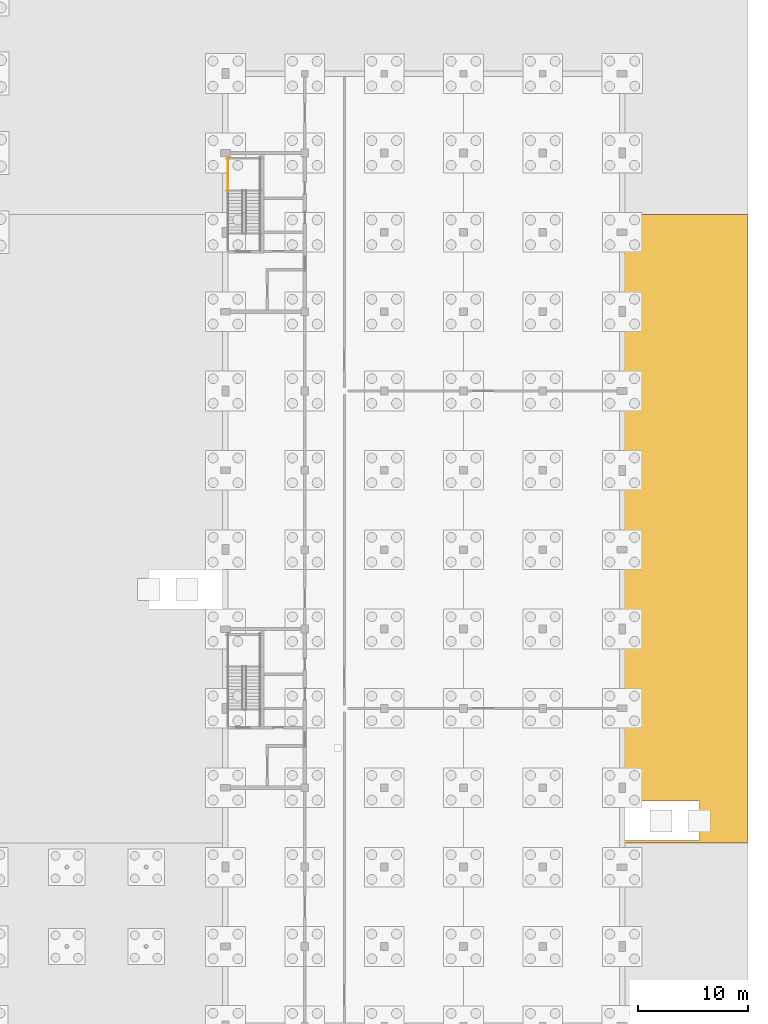
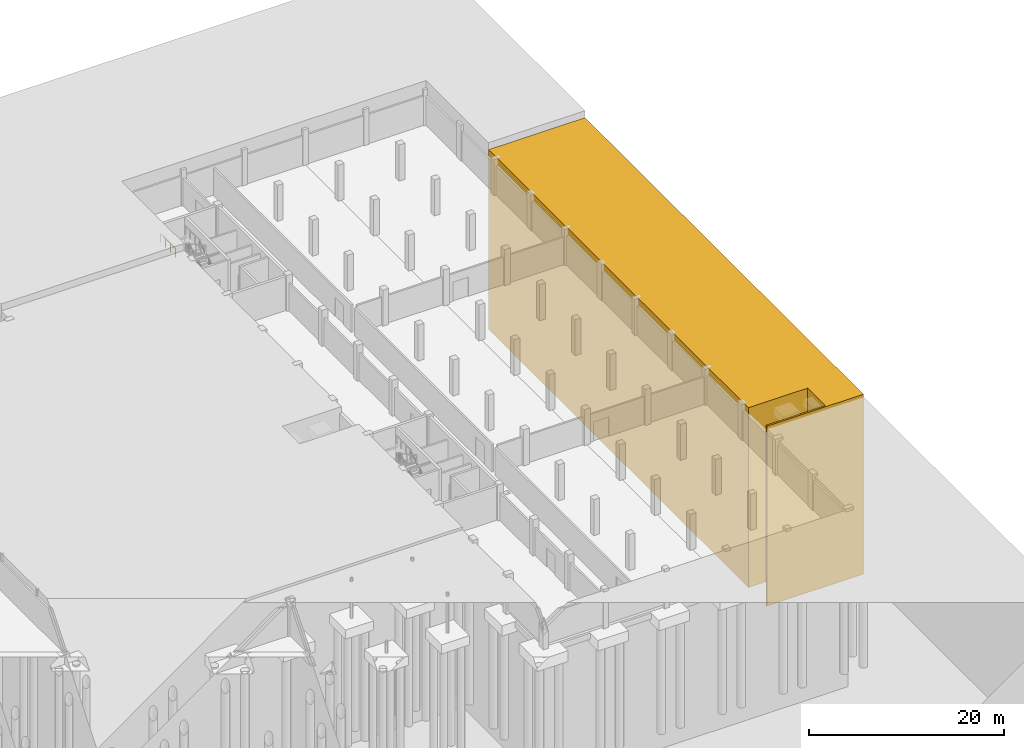
# One storey, part 49 of 51: 1 covering, 1 railing.
"""IFC4 building model written with IfcOpenShell, lengths in metres."""

from ifc_helpers import new_model, si_unit, direction, frame, origin, origin_2d, place, context, subcontext, project, spatial, polyline, circle, outline, extrude, material, layer, layer_set, type_object, element, save


model = new_model("IFC4")

# Units and contexts
model_context = context("Model", 3, precision=1e-05, world=origin(), true_north=direction((0.0, 1.0)))
body_context = subcontext(model_context, "Body", "Model", "MODEL_VIEW")
ifc_project = project(units=[si_unit("LENGTHUNIT", "METRE"), si_unit("AREAUNIT", "SQUARE_METRE"), si_unit("VOLUMEUNIT", "CUBIC_METRE"), si_unit("PLANEANGLEUNIT", "RADIAN"), si_unit("MASSUNIT", "GRAM", prefix="KILO")], contexts=[model_context])

# Site, building, storey
site_placement = place(None, origin())
site = spatial("IfcSite", under=ifc_project, at=site_placement, CompositionType="ELEMENT")
building_placement = place(site_placement, origin())
building = spatial("IfcBuilding", under=site, at=building_placement, Name="Zlatovets Crest Museum", CompositionType="ELEMENT")
storey_placement = place(building_placement, frame((0.0, 0.0, -4.5)))
storey = spatial("IfcBuildingStorey", under=building, at=storey_placement, Name="B1", CompositionType="ELEMENT", Elevation=-4.5)

# Covering
ifc_material_1 = material(Name="Bush-hammered Vratsa stone court paving", Category="masonry")
ifc_layer = layer(ifc_material_1, 0.080078125)
ifc_layer_set = layer_set([ifc_layer], Name="Bush-hammered Vratsa stone court paving")
covering_type = type_object("IfcCoveringType", Name="SitePaving_PV01", PredefinedType="USERDEFINED", material=ifc_layer_set)
covering_placement = place(storey_placement, frame((0.0, 0.0, -18.0)))
element("IfcCovering", 1, at=covering_placement, inside=storey, type_object=covering_type, Name="Stepped Vratsa Stone Hillside Plinth CENTRAL-COURT", ObjectType="PAVING", PredefinedType="USERDEFINED", context=body_context, shape_type="SweptSolid", body=[
    extrude(outline(polyline([(177.0, 31.0), (165.60009765625, 31.0), (165.60009765625, 31.199951171875), (172.60009765625, 31.199951171875), (172.60009765625, 34.800048828125), (165.60009765625, 34.800048828125), (165.60009765625, 88.0), (177.0, 88.0), (177.0, 31.0)])), origin(), (0.0, 0.0, 1.0), 22.47998046875),
])

# Railing
ifc_material_2 = material(Name="Painted steel safety guardrail", Category="steel")
railing_type = type_object("IfcRailingType", Name="StairGuard_SG01", PredefinedType="GUARDRAIL", material=ifc_material_2)
railing_placement = place(storey_placement, frame((129.85009765625, 90.199951171875, 2.25)))
element("IfcRailing", 2, at=railing_placement, inside=storey, type_object=railing_type, Name="B1 ST8 stair guard 4", PredefinedType="GUARDRAIL", context=body_context, shape_type="SweptSolid", body=[
    extrude(circle(Radius=0.02392578125, at=origin_2d()), frame((0.0, 0.0, 1.076171875), z_axis=(0.0, 1.0, 0.0), x_axis=(-1.0, 0.0, 0.0)), (0.0, 0.0, 1.0), 3.0),
    extrude(circle(Radius=0.02099609375, at=origin_2d()), origin(), (0.0, 0.0, 1.0), 1.052001953125),
    extrude(circle(Radius=0.02099609375, at=origin_2d()), frame((0.0, 1.0, 0.0)), (0.0, 0.0, 1.0), 1.052001953125),
    extrude(circle(Radius=0.02099609375, at=origin_2d()), frame((0.0, 2.0, 0.0)), (0.0, 0.0, 1.0), 1.052001953125),
    extrude(circle(Radius=0.02099609375, at=origin_2d()), frame((0.0, 3.0, 0.0)), (0.0, 0.0, 1.0), 1.052001953125),
])

save(model, "model.ifc")
